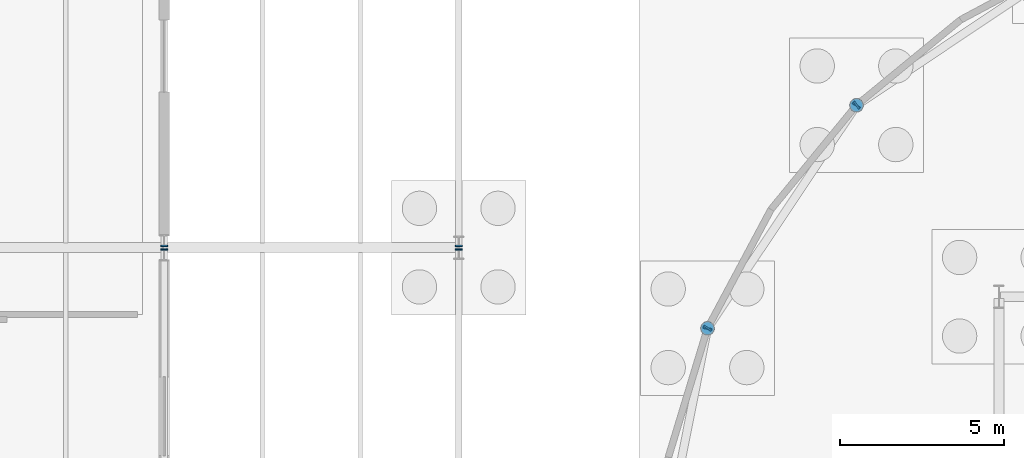
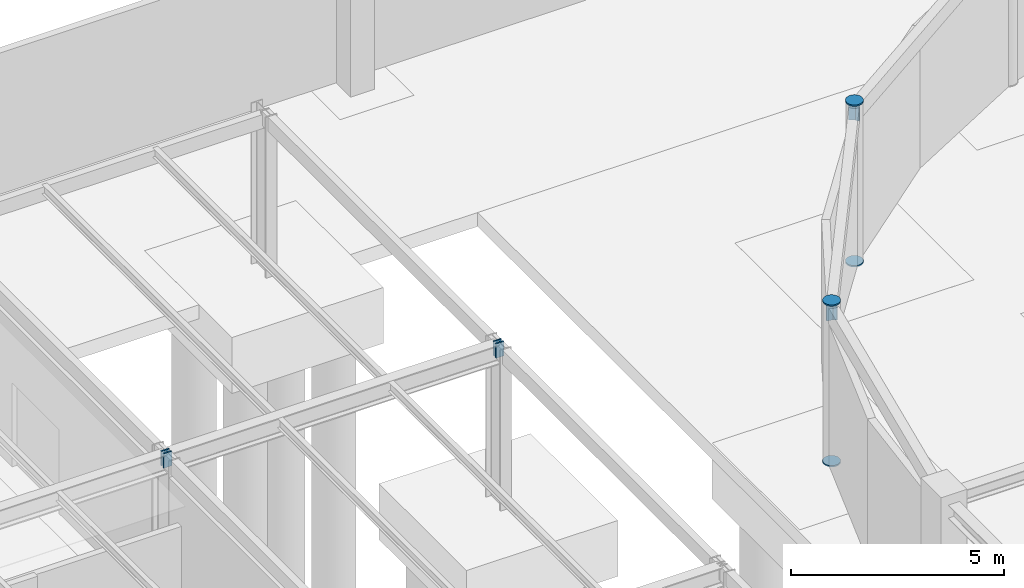
# One storey, part 131 of 160: 12 discrete accessories.
"""IFC4 building model written with IfcOpenShell, lengths in metres."""

from ifc_helpers import new_model, si_unit, direction, frame, origin, origin_2d, place, context, subcontext, project, spatial, rectangle, circle, extrude, material, element, save


model = new_model("IFC4")

# Units and contexts
model_context = context("Model", 3, precision=1e-05, world=origin(), true_north=direction((0.0, 1.0)))
body_context = subcontext(model_context, "Body", "Model", "MODEL_VIEW")
ifc_project = project(units=[si_unit("LENGTHUNIT", "METRE"), si_unit("AREAUNIT", "SQUARE_METRE"), si_unit("VOLUMEUNIT", "CUBIC_METRE"), si_unit("PLANEANGLEUNIT", "RADIAN"), si_unit("MASSUNIT", "GRAM", prefix="KILO")], contexts=[model_context])

# Site, building, storey
site_placement = place(None, origin())
site = spatial("IfcSite", under=ifc_project, at=site_placement, CompositionType="ELEMENT")
building_placement = place(site_placement, origin())
building = spatial("IfcBuilding", under=site, at=building_placement, Name="Marlcrest Central Station", CompositionType="ELEMENT")
storey_placement = place(building_placement, origin())
storey = spatial("IfcBuildingStorey", under=building, at=storey_placement, Name="L00", CompositionType="ELEMENT", Elevation=0.0)

# Discrete accessories
ifc_material = material(Name="Steel S355", Category="steel")
for number, where, z_axis, x_axis, name in (
    (1, (72.0, 120.925048828125, 4.409912109375), (0.0, 1.0, 0.0), (-1.0, 0.0, 0.0), "endcap-bm-SP-01-L00-00165-e"),
    (2, (72.0, 121.03515625, 4.409912109375), (0.0, 1.0, 0.0), (-1.0, 0.0, 0.0), "endcap-bm-SP-01-L00-00166-s"),
    (3, (81.0, 120.925048828125, 4.405029296875), (0.0, 1.0, 0.0), (-1.0, 0.0, 0.0), "endcap-bm-SP-01-L00-00222-e"),
    (4, (81.0, 121.03515625, 4.405029296875), (0.0, 1.0, 0.0), (-1.0, 0.0, 0.0), "endcap-bm-SP-01-L00-00225-s"),
):
    element("IfcDiscreteAccessory", number, at=place(storey_placement, frame(where, z_axis=z_axis, x_axis=x_axis)), inside=storey, material=ifc_material, Name=name, ObjectType="END_CAP_PLATE", PredefinedType="BRACKET", context=body_context, shape_type="SweptSolid", body=[
        extrude(rectangle(XDim=0.216064453125, YDim=0.416015625, at=origin_2d()), origin(), (0.0, 0.0, 1.0), 0.0400390625),
    ])
for number, where, z_axis, x_axis, name in (
    (5, (88.59912109375, 118.535888671875, -0.014892578125), (0.0, 0.0, 1.0), (1.0, 0.0, 0.0), "endcap-col-SC-10-L00-0843-s"),
    (6, (88.59912109375, 118.535888671875, 4.585205078125), (0.0, 0.0, 1.0), (1.0, 0.0, 0.0), "endcap-col-SC-10-L00-0843-e"),
    (7, (93.15087890625, 125.34912109375, -0.014892578125), (0.0, 0.0, 1.0), (1.0, 0.0, 0.0), "endcap-col-SC-10-L00-0847-s"),
    (8, (93.15087890625, 125.34912109375, 4.585205078125), (0.0, 0.0, 1.0), (1.0, 0.0, 0.0), "endcap-col-SC-10-L00-0847-e"),
):
    element("IfcDiscreteAccessory", number, at=place(storey_placement, frame(where, z_axis=z_axis, x_axis=x_axis)), inside=storey, material=ifc_material, Name=name, ObjectType="END_CAP_PLATE", PredefinedType="BRACKET", context=body_context, shape_type="SweptSolid", body=[
        extrude(circle(Radius=0.211181640625, at=origin_2d()), origin(), (0.0, 0.0, 1.0), 0.0400390625),
    ])
for number, where, z_axis, x_axis, name in (
    (9, (88.59423828125, 118.511474609375, 4.294921875), (0.19517056122, 0.980769316421, 0.0), (-0.980769316421, 0.19517056122, 0.0), "endcap-bm-SP-02-L00-01418-e"),
    (10, (88.5908203125, 118.5234375, 4.294921875), (0.55551129271, 0.831508991937, 0.0), (-0.831508991937, 0.55551129271, 0.0), "endcap-bm-SP-02-L00-01419-s"),
    (11, (93.136962890625, 125.328369140625, 4.294921875), (0.55551129271, 0.831508991937, 0.0), (-0.831508991937, 0.55551129271, 0.0), "endcap-bm-SP-02-L00-01419-e"),
    (12, (93.138427734375, 125.3408203125, 4.294921875), (0.831508991937, 0.55551129271, 0.0), (-0.55551129271, 0.831508991937, 0.0), "endcap-bm-SP-02-L00-01420-s"),
):
    element("IfcDiscreteAccessory", number, at=place(storey_placement, frame(where, z_axis=z_axis, x_axis=x_axis)), inside=storey, material=ifc_material, Name=name, ObjectType="END_CAP_PLATE", PredefinedType="BRACKET", context=body_context, shape_type="SweptSolid", body=[
        extrude(rectangle(XDim=0.26611328125, YDim=0.466064453125, at=origin_2d()), origin(), (0.0, 0.0, 1.0), 0.0400390625),
    ])

save(model, "model.ifc")
